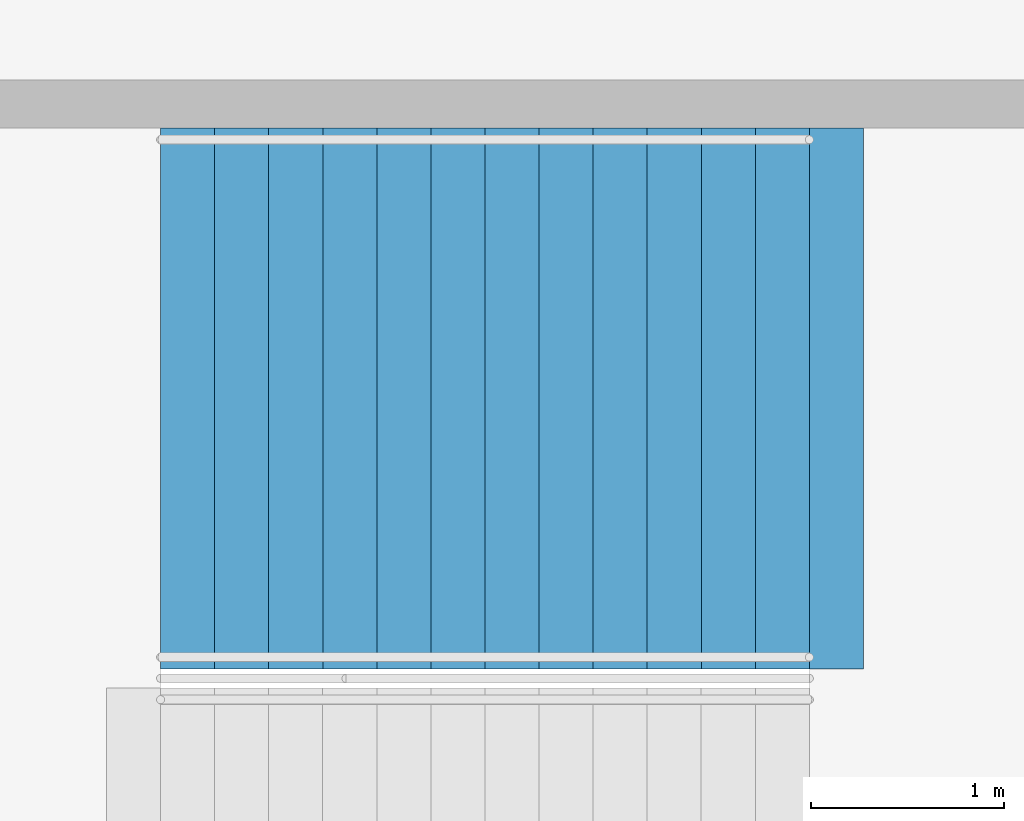
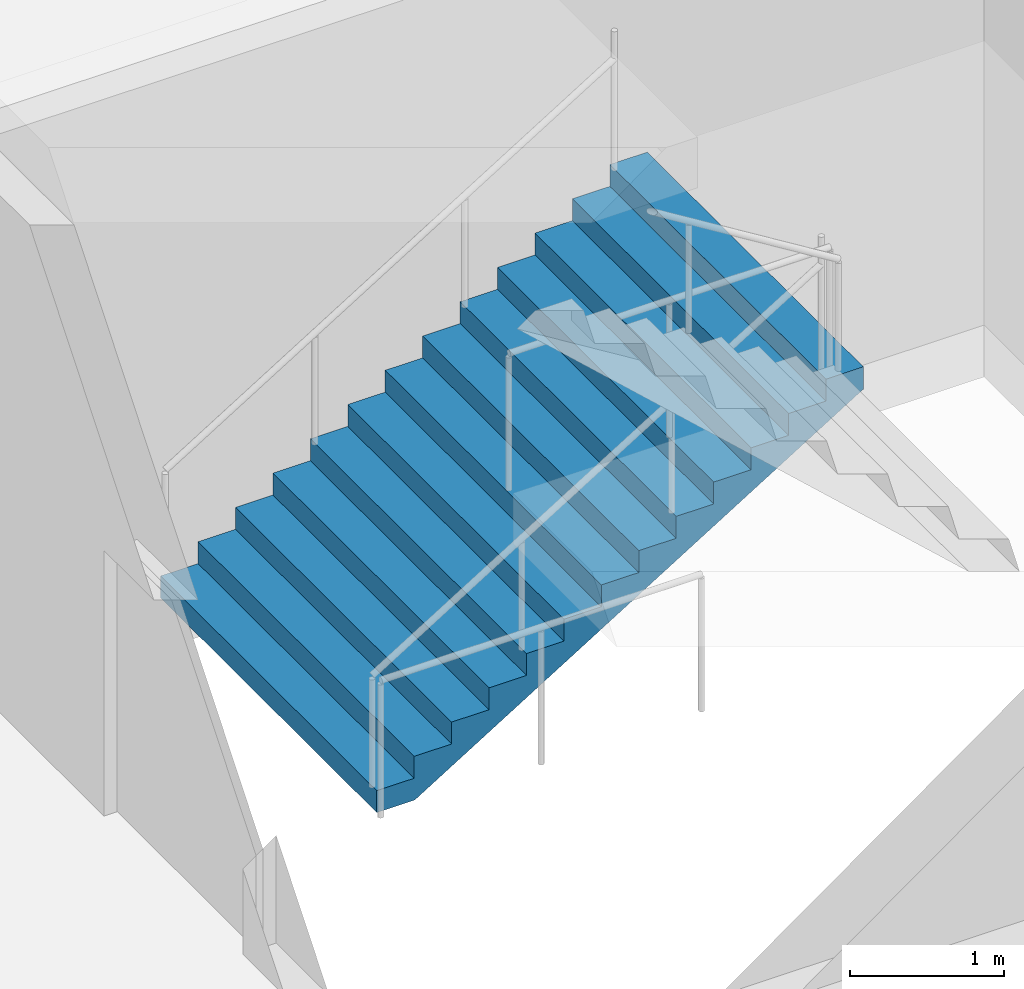
# One storey, part 149 of 199: 1 stair flight, 1 element without a shape of its own.
"""IFC4 building model written with IfcOpenShell, lengths in metres."""

from ifc_helpers import new_model, si_unit, direction, frame, origin, place, context, subcontext, project, spatial, faceted_brep, material, type_object, element, aggregate, save


model = new_model("IFC4")

# Units and contexts
model_context = context("Model", 3, precision=1e-05, world=origin(), true_north=direction((0.0, 1.0)))
body_context = subcontext(model_context, "Body", "Model", "MODEL_VIEW")
ifc_project = project(units=[si_unit("LENGTHUNIT", "METRE"), si_unit("AREAUNIT", "SQUARE_METRE"), si_unit("VOLUMEUNIT", "CUBIC_METRE"), si_unit("PLANEANGLEUNIT", "RADIAN"), si_unit("MASSUNIT", "GRAM", prefix="KILO")], contexts=[model_context])

# Site, building, storey
site_placement = place(None, origin())
site = spatial("IfcSite", under=ifc_project, at=site_placement, CompositionType="ELEMENT")
building_placement = place(site_placement, origin())
building = spatial("IfcBuilding", under=site, at=building_placement, Name="Ogive Plaza Stadium", CompositionType="ELEMENT")
storey_placement = place(building_placement, frame((0.0, 0.0, 9.0)))
storey = spatial("IfcBuildingStorey", under=building, at=storey_placement, Name="L02", CompositionType="ELEMENT", Elevation=9.0)

# Stair, stair flight
ifc_material_1 = material(Name="Concrete C40/50", Category="concrete")
stair_type = type_object("IfcStairType", Name="Exit stair", PredefinedType="STRAIGHT_RUN_STAIR", material=ifc_material_1)
stair_placement = place(storey_placement, origin())
stair = element("IfcStair", 1, at=stair_placement, inside=storey, type_object=stair_type, Name="Exit stair ST04B L02 to L03", PredefinedType="STRAIGHT_RUN_STAIR")
ifc_material_2 = material(Name="Concrete C40/50", Category="concrete")
stair_flight_type = type_object("IfcStairFlightType", Name="Exit stair flight", PredefinedType="STRAIGHT", material=ifc_material_2)
stair_flight_placement = place(storey_placement, frame((76.35009765625, 11.925048828125, 0.0), z_axis=(0.0, 0.0, 1.0), x_axis=(1.0, 0.0, 0.0)))
stair_flight = element("IfcStairFlight", 2, at=stair_flight_placement, type_object=stair_flight_type, Name="ST04B flight 1", NumberOfRisers=13, NumberOfTreads=12, PredefinedType="STRAIGHT", RiserHeight=0.173076923, TreadLength=0.28, context=body_context, shape_type="Brep", body=[
    faceted_brep([(0.28515625, -1.39990234375, 0.0), (3.639892578125, -1.39990234375, 2.07373046875), (3.639892578125, -1.39990234375, 2.25), (3.360107421875, -1.39990234375, 2.25), (3.360107421875, -1.39990234375, 2.076904296875), (3.080078125, -1.39990234375, 2.076904296875), (3.080078125, -1.39990234375, 1.90380859375), (2.800048828125, -1.39990234375, 1.90380859375), (2.800048828125, -1.39990234375, 1.730712890625), (2.52001953125, -1.39990234375, 1.730712890625), (2.52001953125, -1.39990234375, 1.5576171875), (2.239990234375, -1.39990234375, 1.5576171875), (2.239990234375, -1.39990234375, 1.384521484375), (1.9599609375, -1.39990234375, 1.384521484375), (1.9599609375, -1.39990234375, 1.21142578125), (1.679931640625, -1.39990234375, 1.21142578125), (1.679931640625, -1.39990234375, 1.03857421875), (1.39990234375, -1.39990234375, 1.03857421875), (1.39990234375, -1.39990234375, 0.865478515625), (1.1201171875, -1.39990234375, 0.865478515625), (1.1201171875, -1.39990234375, 0.6923828125), (0.840087890625, -1.39990234375, 0.6923828125), (0.840087890625, -1.39990234375, 0.519287109375), (0.56005859375, -1.39990234375, 0.519287109375), (0.56005859375, -1.39990234375, 0.34619140625), (0.280029296875, -1.39990234375, 0.34619140625), (0.280029296875, -1.39990234375, 0.173095703125), (0.0, -1.39990234375, 0.173095703125), (0.0, -1.39990234375, 0.0), (0.0, 1.39990234375, 0.0), (0.0, 1.39990234375, 0.173095703125), (0.280029296875, 1.39990234375, 0.173095703125), (0.280029296875, 1.39990234375, 0.34619140625), (0.56005859375, 1.39990234375, 0.34619140625), (0.56005859375, 1.39990234375, 0.519287109375), (0.840087890625, 1.39990234375, 0.519287109375), (0.840087890625, 1.39990234375, 0.6923828125), (1.1201171875, 1.39990234375, 0.6923828125), (1.1201171875, 1.39990234375, 0.865478515625), (1.39990234375, 1.39990234375, 0.865478515625), (1.39990234375, 1.39990234375, 1.03857421875), (1.679931640625, 1.39990234375, 1.03857421875), (1.679931640625, 1.39990234375, 1.21142578125), (1.9599609375, 1.39990234375, 1.21142578125), (1.9599609375, 1.39990234375, 1.384521484375), (2.239990234375, 1.39990234375, 1.384521484375), (2.239990234375, 1.39990234375, 1.5576171875), (2.52001953125, 1.39990234375, 1.5576171875), (2.52001953125, 1.39990234375, 1.730712890625), (2.800048828125, 1.39990234375, 1.730712890625), (2.800048828125, 1.39990234375, 1.90380859375), (3.080078125, 1.39990234375, 1.90380859375), (3.080078125, 1.39990234375, 2.076904296875), (3.360107421875, 1.39990234375, 2.076904296875), (3.360107421875, 1.39990234375, 2.25), (3.639892578125, 1.39990234375, 2.25), (3.639892578125, 1.39990234375, 2.07373046875), (0.28515625, 1.39990234375, 0.0), (0.28515625, -1.0888671875, 0.0), (3.639892578125, -1.0888671875, 2.07373046875), (0.28515625, -0.77783203125, 0.0), (3.639892578125, -0.77783203125, 2.07373046875), (0.28515625, -0.466796875, 0.0), (3.639892578125, -0.466796875, 2.07373046875), (0.28515625, -0.155517578125, 0.0), (3.639892578125, -0.155517578125, 2.07373046875), (0.28515625, 0.155517578125, 0.0), (3.639892578125, 0.155517578125, 2.07373046875), (0.28515625, 0.466796875, 0.0), (3.639892578125, 0.466796875, 2.07373046875), (0.28515625, 0.77783203125, 0.0), (3.639892578125, 0.77783203125, 2.07373046875), (0.28515625, 1.0888671875, 0.0), (3.639892578125, 1.0888671875, 2.07373046875), (3.639892578125, -1.0888671875, 2.25), (3.639892578125, -0.77783203125, 2.25), (3.639892578125, -0.466796875, 2.25), (3.639892578125, -0.155517578125, 2.25), (3.639892578125, 0.155517578125, 2.25), (3.639892578125, 0.466796875, 2.25), (3.639892578125, 0.77783203125, 2.25), (3.639892578125, 1.0888671875, 2.25), (3.360107421875, -1.0888671875, 2.25), (3.360107421875, -0.77783203125, 2.25), (3.360107421875, -0.466796875, 2.25), (3.360107421875, -0.155517578125, 2.25), (3.360107421875, 0.155517578125, 2.25), (3.360107421875, 0.466796875, 2.25), (3.360107421875, 0.77783203125, 2.25), (3.360107421875, 1.0888671875, 2.25), (3.360107421875, -1.0888671875, 2.076904296875), (3.360107421875, -0.77783203125, 2.076904296875), (3.360107421875, -0.466796875, 2.076904296875), (3.360107421875, -0.155517578125, 2.076904296875), (3.360107421875, 0.155517578125, 2.076904296875), (3.360107421875, 0.466796875, 2.076904296875), (3.360107421875, 0.77783203125, 2.076904296875), (3.360107421875, 1.0888671875, 2.076904296875), (3.080078125, -1.0888671875, 2.076904296875), (3.080078125, -0.77783203125, 2.076904296875), (3.080078125, -0.466796875, 2.076904296875), (3.080078125, -0.155517578125, 2.076904296875), (3.080078125, 0.155517578125, 2.076904296875), (3.080078125, 0.466796875, 2.076904296875), (3.080078125, 0.77783203125, 2.076904296875), (3.080078125, 1.0888671875, 2.076904296875), (3.080078125, -1.0888671875, 1.90380859375), (3.080078125, -0.77783203125, 1.90380859375), (3.080078125, -0.466796875, 1.90380859375), (3.080078125, -0.155517578125, 1.90380859375), (3.080078125, 0.155517578125, 1.90380859375), (3.080078125, 0.466796875, 1.90380859375), (3.080078125, 0.77783203125, 1.90380859375), (3.080078125, 1.0888671875, 1.90380859375), (2.800048828125, -1.0888671875, 1.90380859375), (2.800048828125, -0.77783203125, 1.90380859375), (2.800048828125, -0.466796875, 1.90380859375), (2.800048828125, -0.155517578125, 1.90380859375), (2.800048828125, 0.155517578125, 1.90380859375), (2.800048828125, 0.466796875, 1.90380859375), (2.800048828125, 0.77783203125, 1.90380859375), (2.800048828125, 1.0888671875, 1.90380859375), (2.800048828125, -1.0888671875, 1.730712890625), (2.800048828125, -0.77783203125, 1.730712890625), (2.800048828125, -0.466796875, 1.730712890625), (2.800048828125, -0.155517578125, 1.730712890625), (2.800048828125, 0.155517578125, 1.730712890625), (2.800048828125, 0.466796875, 1.730712890625), (2.800048828125, 0.77783203125, 1.730712890625), (2.800048828125, 1.0888671875, 1.730712890625), (2.52001953125, -1.0888671875, 1.730712890625), (2.52001953125, -0.77783203125, 1.730712890625), (2.52001953125, -0.466796875, 1.730712890625), (2.52001953125, -0.155517578125, 1.730712890625), (2.52001953125, 0.155517578125, 1.730712890625), (2.52001953125, 0.466796875, 1.730712890625), (2.52001953125, 0.77783203125, 1.730712890625), (2.52001953125, 1.0888671875, 1.730712890625), (2.52001953125, -1.0888671875, 1.5576171875), (2.52001953125, -0.77783203125, 1.5576171875), (2.52001953125, -0.466796875, 1.5576171875), (2.52001953125, -0.155517578125, 1.5576171875), (2.52001953125, 0.155517578125, 1.5576171875), (2.52001953125, 0.466796875, 1.5576171875), (2.52001953125, 0.77783203125, 1.5576171875), (2.52001953125, 1.0888671875, 1.5576171875), (2.239990234375, -1.0888671875, 1.5576171875), (2.239990234375, -0.77783203125, 1.5576171875), (2.239990234375, -0.466796875, 1.5576171875), (2.239990234375, -0.155517578125, 1.5576171875), (2.239990234375, 0.155517578125, 1.5576171875), (2.239990234375, 0.466796875, 1.5576171875), (2.239990234375, 0.77783203125, 1.5576171875), (2.239990234375, 1.0888671875, 1.5576171875), (2.239990234375, -1.0888671875, 1.384521484375), (2.239990234375, -0.77783203125, 1.384521484375), (2.239990234375, -0.466796875, 1.384521484375), (2.239990234375, -0.155517578125, 1.384521484375), (2.239990234375, 0.155517578125, 1.384521484375), (2.239990234375, 0.466796875, 1.384521484375), (2.239990234375, 0.77783203125, 1.384521484375), (2.239990234375, 1.0888671875, 1.384521484375), (1.9599609375, -1.0888671875, 1.384521484375), (1.9599609375, -0.77783203125, 1.384521484375), (1.9599609375, -0.466796875, 1.384521484375), (1.9599609375, -0.155517578125, 1.384521484375), (1.9599609375, 0.155517578125, 1.384521484375), (1.9599609375, 0.466796875, 1.384521484375), (1.9599609375, 0.77783203125, 1.384521484375), (1.9599609375, 1.0888671875, 1.384521484375), (1.9599609375, -1.0888671875, 1.21142578125), (1.9599609375, -0.77783203125, 1.21142578125), (1.9599609375, -0.466796875, 1.21142578125), (1.9599609375, -0.155517578125, 1.21142578125), (1.9599609375, 0.155517578125, 1.21142578125), (1.9599609375, 0.466796875, 1.21142578125), (1.9599609375, 0.77783203125, 1.21142578125), (1.9599609375, 1.0888671875, 1.21142578125), (1.679931640625, -1.0888671875, 1.21142578125), (1.679931640625, -0.77783203125, 1.21142578125), (1.679931640625, -0.466796875, 1.21142578125), (1.679931640625, -0.155517578125, 1.21142578125), (1.679931640625, 0.155517578125, 1.21142578125), (1.679931640625, 0.466796875, 1.21142578125), (1.679931640625, 0.77783203125, 1.21142578125), (1.679931640625, 1.0888671875, 1.21142578125), (1.679931640625, -1.0888671875, 1.03857421875), (1.679931640625, -0.77783203125, 1.03857421875), (1.679931640625, -0.466796875, 1.03857421875), (1.679931640625, -0.155517578125, 1.03857421875), (1.679931640625, 0.155517578125, 1.03857421875), (1.679931640625, 0.466796875, 1.03857421875), (1.679931640625, 0.77783203125, 1.03857421875), (1.679931640625, 1.0888671875, 1.03857421875), (1.39990234375, -1.0888671875, 1.03857421875), (1.39990234375, -0.77783203125, 1.03857421875), (1.39990234375, -0.466796875, 1.03857421875), (1.39990234375, -0.155517578125, 1.03857421875), (1.39990234375, 0.155517578125, 1.03857421875), (1.39990234375, 0.466796875, 1.03857421875), (1.39990234375, 0.77783203125, 1.03857421875), (1.39990234375, 1.0888671875, 1.03857421875), (1.39990234375, -1.0888671875, 0.865478515625), (1.39990234375, -0.77783203125, 0.865478515625), (1.39990234375, -0.466796875, 0.865478515625), (1.39990234375, -0.155517578125, 0.865478515625), (1.39990234375, 0.155517578125, 0.865478515625), (1.39990234375, 0.466796875, 0.865478515625), (1.39990234375, 0.77783203125, 0.865478515625), (1.39990234375, 1.0888671875, 0.865478515625), (1.1201171875, -1.0888671875, 0.865478515625), (1.1201171875, -0.77783203125, 0.865478515625), (1.1201171875, -0.466796875, 0.865478515625), (1.1201171875, -0.155517578125, 0.865478515625), (1.1201171875, 0.155517578125, 0.865478515625), (1.1201171875, 0.466796875, 0.865478515625), (1.1201171875, 0.77783203125, 0.865478515625), (1.1201171875, 1.0888671875, 0.865478515625), (1.1201171875, -1.0888671875, 0.6923828125), (1.1201171875, -0.77783203125, 0.6923828125), (1.1201171875, -0.466796875, 0.6923828125), (1.1201171875, -0.155517578125, 0.6923828125), (1.1201171875, 0.155517578125, 0.6923828125), (1.1201171875, 0.466796875, 0.6923828125), (1.1201171875, 0.77783203125, 0.6923828125), (1.1201171875, 1.0888671875, 0.6923828125), (0.840087890625, -1.0888671875, 0.6923828125), (0.840087890625, -0.77783203125, 0.6923828125), (0.840087890625, -0.466796875, 0.6923828125), (0.840087890625, -0.155517578125, 0.6923828125), (0.840087890625, 0.155517578125, 0.6923828125), (0.840087890625, 0.466796875, 0.6923828125), (0.840087890625, 0.77783203125, 0.6923828125), (0.840087890625, 1.0888671875, 0.6923828125), (0.840087890625, -1.0888671875, 0.519287109375), (0.840087890625, -0.77783203125, 0.519287109375), (0.840087890625, -0.466796875, 0.519287109375), (0.840087890625, -0.155517578125, 0.519287109375), (0.840087890625, 0.155517578125, 0.519287109375), (0.840087890625, 0.466796875, 0.519287109375), (0.840087890625, 0.77783203125, 0.519287109375), (0.840087890625, 1.0888671875, 0.519287109375), (0.56005859375, -1.0888671875, 0.519287109375), (0.56005859375, -0.77783203125, 0.519287109375), (0.56005859375, -0.466796875, 0.519287109375), (0.56005859375, -0.155517578125, 0.519287109375), (0.56005859375, 0.155517578125, 0.519287109375), (0.56005859375, 0.466796875, 0.519287109375), (0.56005859375, 0.77783203125, 0.519287109375), (0.56005859375, 1.0888671875, 0.519287109375), (0.56005859375, -1.0888671875, 0.34619140625), (0.56005859375, -0.77783203125, 0.34619140625), (0.56005859375, -0.466796875, 0.34619140625), (0.56005859375, -0.155517578125, 0.34619140625), (0.56005859375, 0.155517578125, 0.34619140625), (0.56005859375, 0.466796875, 0.34619140625), (0.56005859375, 0.77783203125, 0.34619140625), (0.56005859375, 1.0888671875, 0.34619140625), (0.280029296875, -1.0888671875, 0.34619140625), (0.280029296875, -0.77783203125, 0.34619140625), (0.280029296875, -0.466796875, 0.34619140625), (0.280029296875, -0.155517578125, 0.34619140625), (0.280029296875, 0.155517578125, 0.34619140625), (0.280029296875, 0.466796875, 0.34619140625), (0.280029296875, 0.77783203125, 0.34619140625), (0.280029296875, 1.0888671875, 0.34619140625), (0.280029296875, -1.0888671875, 0.173095703125), (0.280029296875, -0.77783203125, 0.173095703125), (0.280029296875, -0.466796875, 0.173095703125), (0.280029296875, -0.155517578125, 0.173095703125), (0.280029296875, 0.155517578125, 0.173095703125), (0.280029296875, 0.466796875, 0.173095703125), (0.280029296875, 0.77783203125, 0.173095703125), (0.280029296875, 1.0888671875, 0.173095703125), (0.0, -1.0888671875, 0.173095703125), (0.0, -0.77783203125, 0.173095703125), (0.0, -0.466796875, 0.173095703125), (0.0, -0.155517578125, 0.173095703125), (0.0, 0.155517578125, 0.173095703125), (0.0, 0.466796875, 0.173095703125), (0.0, 0.77783203125, 0.173095703125), (0.0, 1.0888671875, 0.173095703125), (0.0, -1.0888671875, 0.0), (0.0, -0.77783203125, 0.0), (0.0, -0.466796875, 0.0), (0.0, -0.155517578125, 0.0), (0.0, 0.155517578125, 0.0), (0.0, 0.466796875, 0.0), (0.0, 0.77783203125, 0.0), (0.0, 1.0888671875, 0.0)], [[[0, 1, 2, 3, 4, 5, 6, 7, 8, 9, 10, 11, 12, 13, 14, 15, 16, 17, 18, 19, 20, 21, 22, 23, 24, 25, 26, 27, 28]], [[29, 30, 31, 32, 33, 34, 35, 36, 37, 38, 39, 40, 41, 42, 43, 44, 45, 46, 47, 48, 49, 50, 51, 52, 53, 54, 55, 56, 57]], [[0, 58, 59, 1]], [[58, 60, 61, 59]], [[60, 62, 63, 61]], [[62, 64, 65, 63]], [[64, 66, 67, 65]], [[66, 68, 69, 67]], [[68, 70, 71, 69]], [[70, 72, 73, 71]], [[72, 57, 56, 73]], [[1, 59, 74, 2]], [[59, 61, 75, 74]], [[61, 63, 76, 75]], [[63, 65, 77, 76]], [[65, 67, 78, 77]], [[67, 69, 79, 78]], [[69, 71, 80, 79]], [[71, 73, 81, 80]], [[73, 56, 55, 81]], [[2, 74, 82, 3]], [[74, 75, 83, 82]], [[75, 76, 84, 83]], [[76, 77, 85, 84]], [[77, 78, 86, 85]], [[78, 79, 87, 86]], [[79, 80, 88, 87]], [[80, 81, 89, 88]], [[81, 55, 54, 89]], [[3, 82, 90, 4]], [[82, 83, 91, 90]], [[83, 84, 92, 91]], [[84, 85, 93, 92]], [[85, 86, 94, 93]], [[86, 87, 95, 94]], [[87, 88, 96, 95]], [[88, 89, 97, 96]], [[89, 54, 53, 97]], [[4, 90, 98, 5]], [[90, 91, 99, 98]], [[91, 92, 100, 99]], [[92, 93, 101, 100]], [[93, 94, 102, 101]], [[94, 95, 103, 102]], [[95, 96, 104, 103]], [[96, 97, 105, 104]], [[97, 53, 52, 105]], [[5, 98, 106, 6]], [[98, 99, 107, 106]], [[99, 100, 108, 107]], [[100, 101, 109, 108]], [[101, 102, 110, 109]], [[102, 103, 111, 110]], [[103, 104, 112, 111]], [[104, 105, 113, 112]], [[105, 52, 51, 113]], [[6, 106, 114, 7]], [[106, 107, 115, 114]], [[107, 108, 116, 115]], [[108, 109, 117, 116]], [[109, 110, 118, 117]], [[110, 111, 119, 118]], [[111, 112, 120, 119]], [[112, 113, 121, 120]], [[113, 51, 50, 121]], [[7, 114, 122, 8]], [[114, 115, 123, 122]], [[115, 116, 124, 123]], [[116, 117, 125, 124]], [[117, 118, 126, 125]], [[118, 119, 127, 126]], [[119, 120, 128, 127]], [[120, 121, 129, 128]], [[121, 50, 49, 129]], [[8, 122, 130, 9]], [[122, 123, 131, 130]], [[123, 124, 132, 131]], [[124, 125, 133, 132]], [[125, 126, 134, 133]], [[126, 127, 135, 134]], [[127, 128, 136, 135]], [[128, 129, 137, 136]], [[129, 49, 48, 137]], [[9, 130, 138, 10]], [[130, 131, 139, 138]], [[131, 132, 140, 139]], [[132, 133, 141, 140]], [[133, 134, 142, 141]], [[134, 135, 143, 142]], [[135, 136, 144, 143]], [[136, 137, 145, 144]], [[137, 48, 47, 145]], [[10, 138, 146, 11]], [[138, 139, 147, 146]], [[139, 140, 148, 147]], [[140, 141, 149, 148]], [[141, 142, 150, 149]], [[142, 143, 151, 150]], [[143, 144, 152, 151]], [[144, 145, 153, 152]], [[145, 47, 46, 153]], [[11, 146, 154, 12]], [[146, 147, 155, 154]], [[147, 148, 156, 155]], [[148, 149, 157, 156]], [[149, 150, 158, 157]], [[150, 151, 159, 158]], [[151, 152, 160, 159]], [[152, 153, 161, 160]], [[153, 46, 45, 161]], [[12, 154, 162, 13]], [[154, 155, 163, 162]], [[155, 156, 164, 163]], [[156, 157, 165, 164]], [[157, 158, 166, 165]], [[158, 159, 167, 166]], [[159, 160, 168, 167]], [[160, 161, 169, 168]], [[161, 45, 44, 169]], [[13, 162, 170, 14]], [[162, 163, 171, 170]], [[163, 164, 172, 171]], [[164, 165, 173, 172]], [[165, 166, 174, 173]], [[166, 167, 175, 174]], [[167, 168, 176, 175]], [[168, 169, 177, 176]], [[169, 44, 43, 177]], [[14, 170, 178, 15]], [[170, 171, 179, 178]], [[171, 172, 180, 179]], [[172, 173, 181, 180]], [[173, 174, 182, 181]], [[174, 175, 183, 182]], [[175, 176, 184, 183]], [[176, 177, 185, 184]], [[177, 43, 42, 185]], [[15, 178, 186, 16]], [[178, 179, 187, 186]], [[179, 180, 188, 187]], [[180, 181, 189, 188]], [[181, 182, 190, 189]], [[182, 183, 191, 190]], [[183, 184, 192, 191]], [[184, 185, 193, 192]], [[185, 42, 41, 193]], [[16, 186, 194, 17]], [[186, 187, 195, 194]], [[187, 188, 196, 195]], [[188, 189, 197, 196]], [[189, 190, 198, 197]], [[190, 191, 199, 198]], [[191, 192, 200, 199]], [[192, 193, 201, 200]], [[193, 41, 40, 201]], [[17, 194, 202, 18]], [[194, 195, 203, 202]], [[195, 196, 204, 203]], [[196, 197, 205, 204]], [[197, 198, 206, 205]], [[198, 199, 207, 206]], [[199, 200, 208, 207]], [[200, 201, 209, 208]], [[201, 40, 39, 209]], [[18, 202, 210, 19]], [[202, 203, 211, 210]], [[203, 204, 212, 211]], [[204, 205, 213, 212]], [[205, 206, 214, 213]], [[206, 207, 215, 214]], [[207, 208, 216, 215]], [[208, 209, 217, 216]], [[209, 39, 38, 217]], [[19, 210, 218, 20]], [[210, 211, 219, 218]], [[211, 212, 220, 219]], [[212, 213, 221, 220]], [[213, 214, 222, 221]], [[214, 215, 223, 222]], [[215, 216, 224, 223]], [[216, 217, 225, 224]], [[217, 38, 37, 225]], [[20, 218, 226, 21]], [[218, 219, 227, 226]], [[219, 220, 228, 227]], [[220, 221, 229, 228]], [[221, 222, 230, 229]], [[222, 223, 231, 230]], [[223, 224, 232, 231]], [[224, 225, 233, 232]], [[225, 37, 36, 233]], [[21, 226, 234, 22]], [[226, 227, 235, 234]], [[227, 228, 236, 235]], [[228, 229, 237, 236]], [[229, 230, 238, 237]], [[230, 231, 239, 238]], [[231, 232, 240, 239]], [[232, 233, 241, 240]], [[233, 36, 35, 241]], [[22, 234, 242, 23]], [[234, 235, 243, 242]], [[235, 236, 244, 243]], [[236, 237, 245, 244]], [[237, 238, 246, 245]], [[238, 239, 247, 246]], [[239, 240, 248, 247]], [[240, 241, 249, 248]], [[241, 35, 34, 249]], [[23, 242, 250, 24]], [[242, 243, 251, 250]], [[243, 244, 252, 251]], [[244, 245, 253, 252]], [[245, 246, 254, 253]], [[246, 247, 255, 254]], [[247, 248, 256, 255]], [[248, 249, 257, 256]], [[249, 34, 33, 257]], [[24, 250, 258, 25]], [[250, 251, 259, 258]], [[251, 252, 260, 259]], [[252, 253, 261, 260]], [[253, 254, 262, 261]], [[254, 255, 263, 262]], [[255, 256, 264, 263]], [[256, 257, 265, 264]], [[257, 33, 32, 265]], [[25, 258, 266, 26]], [[258, 259, 267, 266]], [[259, 260, 268, 267]], [[260, 261, 269, 268]], [[261, 262, 270, 269]], [[262, 263, 271, 270]], [[263, 264, 272, 271]], [[264, 265, 273, 272]], [[265, 32, 31, 273]], [[26, 266, 274, 27]], [[266, 267, 275, 274]], [[267, 268, 276, 275]], [[268, 269, 277, 276]], [[269, 270, 278, 277]], [[270, 271, 279, 278]], [[271, 272, 280, 279]], [[272, 273, 281, 280]], [[273, 31, 30, 281]], [[27, 274, 282, 28]], [[274, 275, 283, 282]], [[275, 276, 284, 283]], [[276, 277, 285, 284]], [[277, 278, 286, 285]], [[278, 279, 287, 286]], [[279, 280, 288, 287]], [[280, 281, 289, 288]], [[281, 30, 29, 289]], [[28, 282, 58, 0]], [[282, 283, 60, 58]], [[283, 284, 62, 60]], [[284, 285, 64, 62]], [[285, 286, 66, 64]], [[286, 287, 68, 66]], [[287, 288, 70, 68]], [[288, 289, 72, 70]], [[289, 29, 57, 72]]]),
])
aggregate(stair, [stair_flight])

save(model, "model.ifc")
